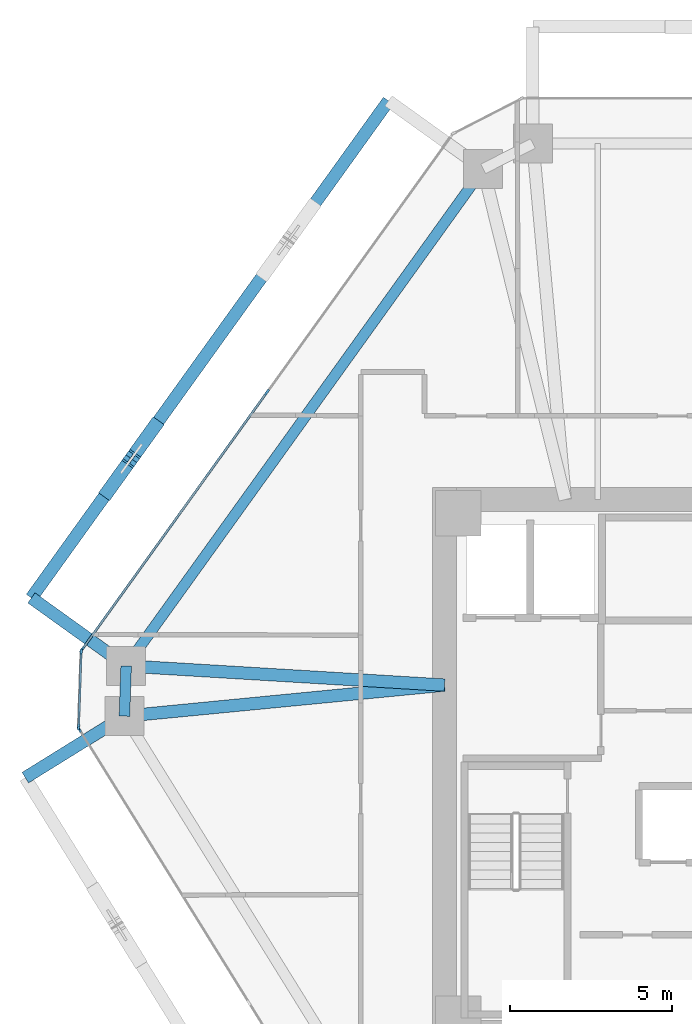
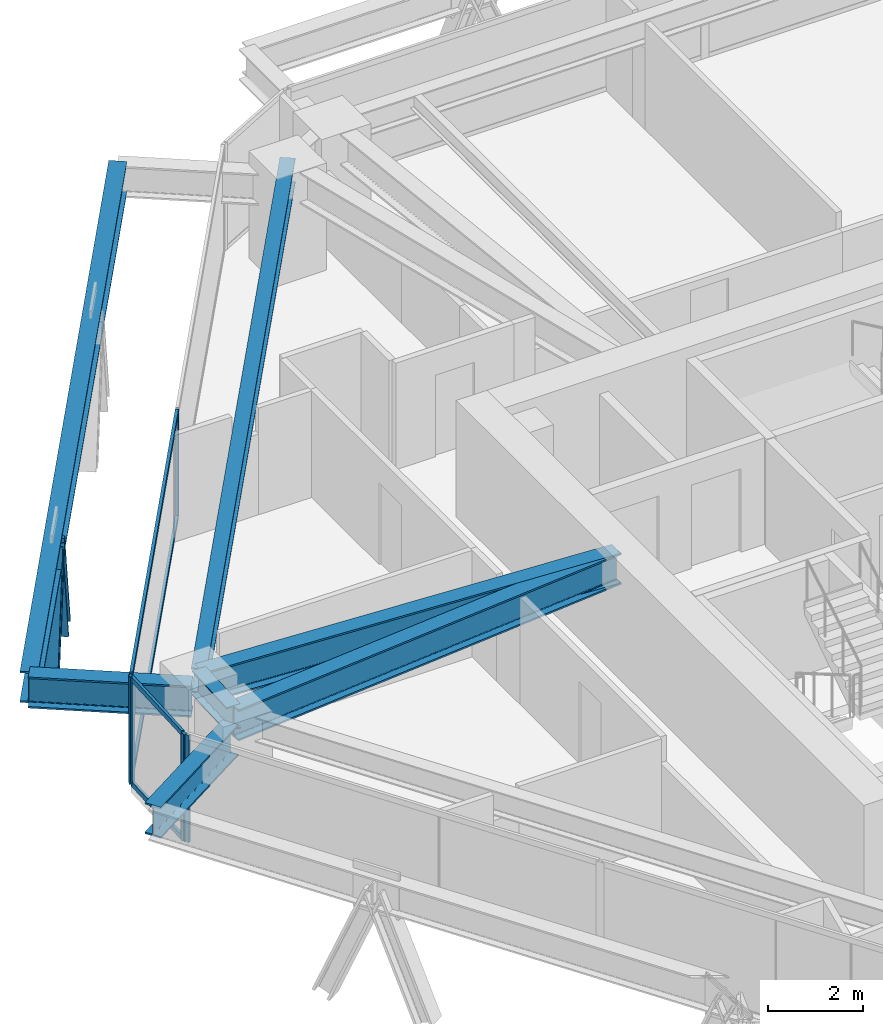
# One storey, part 4 of 17: 11 members, 7 beams, 3 elements without a shape of their own.
"""IFC4 building model written with IfcOpenShell, lengths in metres."""

from ifc_helpers import new_model, si_unit, direction, frame, origin, origin_2d, place, context, subcontext, project, spatial, rectangle, i_section, extrude, source, transform, mapped, material, layer, layer_set, material_profile, profile_set, type_object, type_shapes, element, aggregate, save


model = new_model("IFC4")

# Units and contexts
model_context = context("Model", 3, precision=1e-05, world=origin(), true_north=direction((0.0, 1.0)))
body_context = subcontext(model_context, "Body", "Model", "MODEL_VIEW")
ifc_project = project(units=[si_unit("LENGTHUNIT", "METRE"), si_unit("AREAUNIT", "SQUARE_METRE"), si_unit("VOLUMEUNIT", "CUBIC_METRE"), si_unit("PLANEANGLEUNIT", "RADIAN"), si_unit("MASSUNIT", "GRAM", prefix="KILO")], contexts=[model_context])

# Site, building, storey
site_placement = place(None, origin())
site = spatial("IfcSite", under=ifc_project, at=site_placement, CompositionType="ELEMENT")
building_placement = place(site_placement, origin())
building = spatial("IfcBuilding", under=site, at=building_placement, Name="Durnholm Broadcast Tower", CompositionType="ELEMENT")
storey_placement = place(building_placement, frame((0.0, 0.0, 143.10009765625)))
storey = spatial("IfcBuildingStorey", under=building, at=storey_placement, Name="L39", CompositionType="ELEMENT", Elevation=143.10009765625)

# Beams
ifc_material_1 = material(Name="Steel ASTM A992 Grade 50", Category="steel")
ifc_material_profile_1 = material_profile(ifc_material_1, i_section(OverallWidth=0.385009765625, OverallDepth=0.802978515625, WebThickness=0.023681640625, FlangeThickness=0.0419921875, FilletRadius=0.032958984375, at=origin_2d()), Name="W30X261")
ifc_profile_set_1 = profile_set([ifc_material_profile_1], Name="Steel ASTM A992 Grade 50")
beam_type_1 = type_object("IfcBeamType", Name="BM-EXO-TIE", PredefinedType="USERDEFINED", material=ifc_profile_set_1)
shared_shape_1 = source(origin(), body_context, "Body", "SweptSolid", [
    extrude(i_section(OverallWidth=0.385009765625, OverallDepth=0.802978515625, WebThickness=0.023681640625, FlangeThickness=0.0419921875, FilletRadius=0.032958984375, at=origin_2d()), origin(), (0.0, 0.0, 1.0), 3.4560546875),
])
for number, where, z_axis, x_axis, name in (
    (1, (-20.1669921875, 3.175048828125, 2.008544921875), (-0.812164951739, 0.583427880005, 0.0), (-0.583427880005, -0.812164951739, 0.0), "L39 exoskeleton stand-off tie bracket F5.2"),
    (2, (-20.22509765625, 1.465576171875, 2.008544921875), (-0.849795112316, -0.527113144481, 0.0), (0.527113144481, -0.849795112316, 0.0), "L39 exoskeleton stand-off tie bracket F6.1"),
):
    element("IfcBeam", number, at=place(storey_placement, frame(where, z_axis=z_axis, x_axis=x_axis)), inside=storey, type_object=beam_type_1, Name=name, ObjectType="GIRDER", PredefinedType="USERDEFINED", context=body_context, shape_type="MappedRepresentation", body=[
        mapped(shared_shape_1, transform((0.0, 0.0, 0.0), x_axis=(1.0, 0.0, 0.0), y_axis=(0.0, 1.0, 0.0), z_axis=(0.0, 0.0, 1.0), scale=1.0)),
    ])
ifc_material_profile_2 = material_profile(ifc_material_1, i_section(OverallWidth=0.3291015625, OverallDepth=0.635009765625, WebThickness=0.017822265625, FlangeThickness=0.031005859375, FilletRadius=0.02783203125, at=origin_2d()), Name="W24X162")
ifc_profile_set_2 = profile_set([ifc_material_profile_2], Name="Steel ASTM A992 Grade 50")
beam_type_2 = type_object("IfcBeamType", Name="STL-SP-W24X162", PredefinedType="SPANDREL", material=ifc_profile_set_2)
shared_shape_2 = source(origin(), body_context, "Body", "SweptSolid", [
    extrude(i_section(OverallWidth=0.3291015625, OverallDepth=0.635009765625, WebThickness=0.017822265625, FlangeThickness=0.031005859375, FilletRadius=0.02783203125, at=origin_2d()), origin(), (0.0, 0.0, 1.0), 1.550537109375),
])
beam_1_placement = place(storey_placement, frame((-20.102783203125, 1.54150390625, 2.427490234375), z_axis=(0.034012135923, 0.999421419928, 0.0), x_axis=(-0.999421419928, 0.034012135923, 0.0)))
element("IfcBeam", 3, at=beam_1_placement, inside=storey, type_object=beam_type_2, Name="L39 perimeter spandrel girder 02", PredefinedType="SPANDREL", context=body_context, shape_type="MappedRepresentation", body=[
    mapped(shared_shape_2, transform((0.0, 0.0, 0.0), x_axis=(1.0, 0.0, 0.0), y_axis=(0.0, 1.0, 0.0), z_axis=(0.0, 0.0, 1.0), scale=1.0)),
])
shared_shape_3 = source(origin(), body_context, "Body", "SweptSolid", [
    extrude(i_section(OverallWidth=0.3291015625, OverallDepth=0.635009765625, WebThickness=0.017822265625, FlangeThickness=0.031005859375, FilletRadius=0.02783203125, at=origin_2d()), origin(), (0.0, 0.0, 1.0), 18.884521484375),
])
type_shapes(beam_type_2, [shared_shape_2, shared_shape_3])
beam_2_placement = place(storey_placement, frame((-20.050048828125, 3.091064453125, 2.427490234375), z_axis=(0.583443434414, 0.812153777827, 0.0), x_axis=(-0.812153777827, 0.583443434414, 0.0)))
element("IfcBeam", 4, at=beam_2_placement, inside=storey, type_object=beam_type_2, Name="L39 perimeter spandrel girder 03", PredefinedType="SPANDREL", context=body_context, shape_type="MappedRepresentation", body=[
    mapped(shared_shape_3, transform((0.0, 0.0, 0.0), x_axis=(1.0, 0.0, 0.0), y_axis=(0.0, 1.0, 0.0), z_axis=(0.0, 0.0, 1.0), scale=1.0)),
])
ifc_material_profile_3 = material_profile(ifc_material_1, i_section(OverallWidth=0.385009765625, OverallDepth=0.802978515625, WebThickness=0.023681640625, FlangeThickness=0.0419921875, FilletRadius=0.032958984375, at=origin_2d()), Name="W30X261")
ifc_profile_set_3 = profile_set([ifc_material_profile_3], Name="Steel ASTM A992 Grade 50")
beam_type_3 = type_object("IfcBeamType", Name="STL-GR-W30X261", PredefinedType="USERDEFINED", material=ifc_profile_set_3)
shared_shape_4 = source(origin(), body_context, "Body", "SweptSolid", [
    extrude(i_section(OverallWidth=0.385009765625, OverallDepth=0.802978515625, WebThickness=0.023681640625, FlangeThickness=0.0419921875, FilletRadius=0.032958984375, at=origin_2d()), origin(), (0.0, 0.0, 1.0), 9.924072265625),
])
beam_3_placement = place(storey_placement, frame((-10.22509765625, 2.5, 2.343505859375), z_axis=(-0.995324947968, -0.096582855378, 0.0), x_axis=(0.096582855378, -0.995324947968, 0.0)))
element("IfcBeam", 5, at=beam_3_placement, inside=storey, type_object=beam_type_3, Name="L39 radial primary floor girder 02", ObjectType="GIRDER", PredefinedType="USERDEFINED", context=body_context, shape_type="MappedRepresentation", body=[
    mapped(shared_shape_4, transform((0.0, 0.0, 0.0), x_axis=(1.0, 0.0, 0.0), y_axis=(0.0, 1.0, 0.0), z_axis=(0.0, 0.0, 1.0), scale=1.0)),
])
shared_shape_5 = source(origin(), body_context, "Body", "SweptSolid", [
    extrude(i_section(OverallWidth=0.385009765625, OverallDepth=0.802978515625, WebThickness=0.023681640625, FlangeThickness=0.0419921875, FilletRadius=0.032958984375, at=origin_2d()), origin(), (0.0, 0.0, 1.0), 9.8427734375),
])
type_shapes(beam_type_3, [shared_shape_4, shared_shape_5])
beam_4_placement = place(storey_placement, frame((-10.22509765625, 2.5, 2.343505859375), z_axis=(-0.998195312551, 0.0600509617, 0.0), x_axis=(-0.0600509617, -0.998195312551, 0.0)))
element("IfcBeam", 6, at=beam_4_placement, inside=storey, type_object=beam_type_3, Name="L39 radial primary floor girder 03", ObjectType="GIRDER", PredefinedType="USERDEFINED", context=body_context, shape_type="MappedRepresentation", body=[
    mapped(shared_shape_5, transform((0.0, 0.0, 0.0), x_axis=(1.0, 0.0, 0.0), y_axis=(0.0, 1.0, 0.0), z_axis=(0.0, 0.0, 1.0), scale=1.0)),
])
shared_shape_6 = source(origin(), body_context, "Body", "SweptSolid", [
    extrude(i_section(OverallWidth=0.385009765625, OverallDepth=0.802978515625, WebThickness=0.023681640625, FlangeThickness=0.0419921875, FilletRadius=0.032958984375, at=origin_2d()), origin(), (0.0, 0.0, 1.0), 18.884765625),
])
type_shapes(beam_type_1, [shared_shape_1, shared_shape_6])
beam_5_placement = place(storey_placement, frame((-11.955810546875, 20.52880859375, 2.008544921875), z_axis=(-0.583437308554, -0.812158178551, 0.0), x_axis=(0.812158178551, -0.583437308554, 0.0)))
element("IfcBeam", 7, at=beam_5_placement, inside=storey, type_object=beam_type_1, Name="L39 exoskeleton collector spandrel F5", PredefinedType="SPANDREL", context=body_context, shape_type="MappedRepresentation", body=[
    mapped(shared_shape_6, transform((0.0, 0.0, 0.0), x_axis=(1.0, 0.0, 0.0), y_axis=(0.0, 1.0, 0.0), z_axis=(0.0, 0.0, 1.0), scale=1.0)),
])

# Members
ifc_material_2 = material(Name="Steel ASTM A913 Grade 65", Category="steel")
ifc_material_profile_4 = material_profile(ifc_material_2, i_section(OverallWidth=0.41845703125, OverallDepth=0.455078125, WebThickness=0.0419921875, FlangeThickness=0.067626953125, FilletRadius=0.030517578125, at=origin_2d()), Name="W14X370")
ifc_profile_set_4 = profile_set([ifc_material_profile_4], Name="Steel ASTM A913 Grade 65")
member_type_1 = type_object("IfcMemberType", Name="STL-DG-W14X370", PredefinedType="BRACE", material=ifc_profile_set_4)
shared_shape_7 = source(origin(), body_context, "Body", "SweptSolid", [
    extrude(i_section(OverallWidth=0.41845703125, OverallDepth=0.455078125, WebThickness=0.0419921875, FlangeThickness=0.067626953125, FilletRadius=0.030517578125, at=origin_2d()), origin(), (0.0, 0.0, 1.0), 3.243896484375),
])
member_1_placement = place(storey_placement, frame((-19.1689453125, 10.488037109375, -0.991455078125), z_axis=(-0.221947394098, -0.308950170489, 0.924818439699), x_axis=(0.812153063014, -0.583444429434, 0.0)))
element("IfcMember", 8, at=member_1_placement, inside=storey, type_object=member_type_1, Name="L39 stand-off diagrid brace F5.D2.1", PredefinedType="BRACE", context=body_context, shape_type="MappedRepresentation", body=[
    mapped(shared_shape_7, transform((0.0, 0.0, 0.0), x_axis=(1.0, 0.0, 0.0), y_axis=(0.0, 1.0, 0.0), z_axis=(0.0, 0.0, 1.0), scale=1.0)),
])
shared_shape_8 = source(origin(), body_context, "Body", "SweptSolid", [
    extrude(i_section(OverallWidth=0.41845703125, OverallDepth=0.455078125, WebThickness=0.0419921875, FlangeThickness=0.067626953125, FilletRadius=0.030517578125, at=origin_2d()), origin(), (0.0, 0.0, 1.0), 3.24365234375),
])
type_shapes(member_type_1, [shared_shape_7, shared_shape_8])
member_2_placement = place(storey_placement, frame((-20.608642578125, 8.48388671875, -0.991455078125), z_axis=(0.22188099666, 0.308887249081, 0.924855389062), x_axis=(-0.812179469647, 0.583407669717, 0.0)))
element("IfcMember", 9, at=member_2_placement, inside=storey, type_object=member_type_1, Name="L39 stand-off diagrid brace F5.D2.2", PredefinedType="BRACE", context=body_context, shape_type="MappedRepresentation", body=[
    mapped(shared_shape_8, transform((0.0, 0.0, 0.0), x_axis=(1.0, 0.0, 0.0), y_axis=(0.0, 1.0, 0.0), z_axis=(0.0, 0.0, 1.0), scale=1.0)),
])

# Curtain wall, members
ifc_material_3 = material(Name="Aluminium and Solar Control IGU", Category="aluminium")
ifc_layer_1 = layer(ifc_material_3, 0.1650390625)
ifc_layer_set_1 = layer_set([ifc_layer_1], Name="Aluminium and Solar Control IGU")
curtain_wall_type_1 = type_object("IfcCurtainWallType", Name="CW-SYS-5", PredefinedType="NOTDEFINED", material=ifc_layer_set_1)
curtain_wall_1_placement = place(storey_placement, origin())
curtain_wall_1 = element("IfcCurtainWall", 10, at=curtain_wall_1_placement, inside=storey, type_object=curtain_wall_type_1, Name="L39 curtain wall CW-CORNER CW-L39-CRN-01", PredefinedType="NOTDEFINED")
ifc_material_4 = material(Name="Aluminium 6063-T6", Category="aluminium")
ifc_material_profile_5 = material_profile(ifc_material_4, rectangle(XDim=0.06494140625, YDim=0.1650390625, at=origin_2d()), Name="CWM65X165")
ifc_profile_set_5 = profile_set([ifc_material_profile_5], Name="Aluminium 6063-T6")
member_type_2 = type_object("IfcMemberType", Name="CW-SYS-5-MUL", PredefinedType="MULLION", material=ifc_profile_set_5)
shared_shape_9 = source(origin(), body_context, "Body", "SweptSolid", [
    extrude(rectangle(XDim=0.06494140625, YDim=0.1650390625, at=origin_2d()), origin(), (0.0, 0.0, 1.0), 2.760009765625),
])
type_shapes(member_type_2, [shared_shape_9])
member_3_placement = place(storey_placement, frame((-21.51513671875, 1.19677734375, 0.0), z_axis=(0.0, 0.0, 1.0), x_axis=(-0.999424655155, 0.033916937775, 0.0)))
member_3 = element("IfcMember", 11, at=member_3_placement, type_object=member_type_2, Name="CW-CORNER mullion 1", PredefinedType="MULLION", context=body_context, shape_type="MappedRepresentation", body=[
    mapped(shared_shape_9, transform((0.0, 0.0, 0.0), x_axis=(1.0, 0.0, 0.0), y_axis=(0.0, 1.0, 0.0), z_axis=(0.0, 0.0, 1.0), scale=1.0)),
])
member_4_placement = place(storey_placement, frame((-21.43603515625, 3.530517578125, 0.0), z_axis=(0.0, 0.0, 1.0), x_axis=(-0.999424655155, 0.033916937775, 0.0)))
member_4 = element("IfcMember", 12, at=member_4_placement, type_object=member_type_2, Name="CW-CORNER mullion 2", PredefinedType="MULLION", context=body_context, shape_type="MappedRepresentation", body=[
    mapped(shared_shape_9, transform((0.0, 0.0, 0.0), x_axis=(1.0, 0.0, 0.0), y_axis=(0.0, 1.0, 0.0), z_axis=(0.0, 0.0, 1.0), scale=1.0)),
])

ifc_layer_2 = layer(ifc_material_3, 0.18994140625)
ifc_layer_set_2 = layer_set([ifc_layer_2], Name="Aluminium and Solar Control IGU")
curtain_wall_type_2 = type_object("IfcCurtainWallType", Name="CW-SYS-3", PredefinedType="NOTDEFINED", material=ifc_layer_set_2)
curtain_wall_2_placement = place(storey_placement, origin())
curtain_wall_2 = element("IfcCurtainWall", 13, at=curtain_wall_2_placement, inside=storey, type_object=curtain_wall_type_2, Name="L39 curtain wall CW-Z12-VIS CW-L39-F02", PredefinedType="NOTDEFINED")
ifc_material_profile_6 = material_profile(ifc_material_4, rectangle(XDim=0.070068359375, YDim=0.18994140625, at=origin_2d()), Name="CWM70X190")
ifc_profile_set_6 = profile_set([ifc_material_profile_6], Name="Aluminium 6063-T6")
member_type_3 = type_object("IfcMemberType", Name="CW-SYS-3-MUL", PredefinedType="MULLION", material=ifc_profile_set_6)
shared_shape_10 = source(origin(), body_context, "Body", "SweptSolid", [
    extrude(rectangle(XDim=0.070068359375, YDim=0.18994140625, at=origin_2d()), origin(), (0.0, 0.0, 1.0), 2.760009765625),
])
type_shapes(member_type_3, [shared_shape_10])
member_5_placement = place(storey_placement, frame((-21.41455078125, 3.59130859375, 0.0), z_axis=(0.0, 0.0, 1.0), x_axis=(-0.812152312759, 0.583445473786, 0.0)))
member_5 = element("IfcMember", 14, at=member_5_placement, type_object=member_type_3, Name="CW-Z12-VIS mullion 1", PredefinedType="MULLION", context=body_context, shape_type="MappedRepresentation", body=[
    mapped(shared_shape_10, transform((0.0, 0.0, 0.0), x_axis=(1.0, 0.0, 0.0), y_axis=(0.0, 1.0, 0.0), z_axis=(0.0, 0.0, 1.0), scale=1.0)),
])
member_6_placement = place(storey_placement, frame((-15.703369140625, 11.541259765625, 0.0), z_axis=(0.0, 0.0, 1.0), x_axis=(-0.812152312759, 0.583445473786, 0.0)))
member_6 = element("IfcMember", 15, at=member_6_placement, type_object=member_type_3, Name="CW-Z12-VIS mullion 2", PredefinedType="MULLION", context=body_context, shape_type="MappedRepresentation", body=[
    mapped(shared_shape_10, transform((0.0, 0.0, 0.0), x_axis=(1.0, 0.0, 0.0), y_axis=(0.0, 1.0, 0.0), z_axis=(0.0, 0.0, 1.0), scale=1.0)),
])

# Curtain wall, member
curtain_wall_3_placement = place(storey_placement, origin())
curtain_wall_3 = element("IfcCurtainWall", 16, at=curtain_wall_3_placement, inside=storey, type_object=curtain_wall_type_2, Name="L39 curtain wall CW-Z12-VIS CW-L39-F12", PredefinedType="NOTDEFINED")
member_7_placement = place(storey_placement, frame((-21.497802734375, 1.134765625, 0.0), z_axis=(0.0, 0.0, 1.0), x_axis=(-0.849799925229, -0.527105385176, 0.0)))
member_7 = element("IfcMember", 17, at=member_7_placement, type_object=member_type_3, Name="CW-Z12-VIS mullion 3", PredefinedType="MULLION", context=body_context, shape_type="MappedRepresentation", body=[
    mapped(shared_shape_10, transform((0.0, 0.0, 0.0), x_axis=(1.0, 0.0, 0.0), y_axis=(0.0, 1.0, 0.0), z_axis=(0.0, 0.0, 1.0), scale=1.0)),
])
aggregate(curtain_wall_3, [member_7])

# Member
ifc_material_profile_7 = material_profile(ifc_material_4, rectangle(XDim=0.06494140625, YDim=0.1298828125, at=origin_2d()), Name="CWT65X130")
ifc_profile_set_7 = profile_set([ifc_material_profile_7], Name="Aluminium 6063-T6")
member_type_4 = type_object("IfcMemberType", Name="CW-SYS-5-TRN", PredefinedType="USERDEFINED", material=ifc_profile_set_7)
shared_shape_11 = source(origin(), body_context, "Body", "SweptSolid", [
    extrude(rectangle(XDim=0.06494140625, YDim=0.1298828125, at=origin_2d()), origin(), (0.0, 0.0, 1.0), 2.27001953125),
])
type_shapes(member_type_4, [shared_shape_11])
member_8_placement = place(storey_placement, frame((-21.51416015625, 1.229248046875, 0.032470703125), z_axis=(0.03398444704, 0.999422361847, 0.0), x_axis=(-0.999422361847, 0.03398444704, 0.0)))
member_8 = element("IfcMember", 18, at=member_8_placement, type_object=member_type_4, Name="CW-CORNER transom 1.1", ObjectType="TRANSOM", PredefinedType="USERDEFINED", context=body_context, shape_type="MappedRepresentation", body=[
    mapped(shared_shape_11, transform((0.0, 0.0, 0.0), x_axis=(1.0, 0.0, 0.0), y_axis=(0.0, 1.0, 0.0), z_axis=(0.0, 0.0, 1.0), scale=1.0)),
])

member_9_placement = place(storey_placement, frame((-21.51416015625, 1.229248046875, 2.727294921875), z_axis=(0.03398444704, 0.999422361847, 0.0), x_axis=(-0.999422361847, 0.03398444704, 0.0)))
member_9 = element("IfcMember", 19, at=member_9_placement, type_object=member_type_4, Name="CW-CORNER transom 1.2", ObjectType="TRANSOM", PredefinedType="USERDEFINED", context=body_context, shape_type="MappedRepresentation", body=[
    mapped(shared_shape_11, transform((0.0, 0.0, 0.0), x_axis=(1.0, 0.0, 0.0), y_axis=(0.0, 1.0, 0.0), z_axis=(0.0, 0.0, 1.0), scale=1.0)),
])

aggregate(curtain_wall_1, [member_3, member_4, member_8, member_9])

ifc_material_profile_8 = material_profile(ifc_material_4, rectangle(XDim=0.070068359375, YDim=0.14990234375, at=origin_2d()), Name="CWT70X150")
ifc_profile_set_8 = profile_set([ifc_material_profile_8], Name="Aluminium 6063-T6")
member_type_5 = type_object("IfcMemberType", Name="CW-SYS-3-TRN", PredefinedType="USERDEFINED", material=ifc_profile_set_8)
shared_shape_12 = source(origin(), body_context, "Body", "SweptSolid", [
    extrude(rectangle(XDim=0.070068359375, YDim=0.14990234375, at=origin_2d()), origin(), (0.0, 0.0, 1.0), 9.71875),
])
type_shapes(member_type_5, [shared_shape_12])
member_10_placement = place(storey_placement, frame((-21.39404296875, 3.619873046875, 0.034912109375), z_axis=(0.583450726174, 0.812148539448, 0.0), x_axis=(-0.812148539448, 0.583450726174, 0.0)))
member_10 = element("IfcMember", 20, at=member_10_placement, type_object=member_type_5, Name="CW-Z12-VIS transom 1.1", ObjectType="TRANSOM", PredefinedType="USERDEFINED", context=body_context, shape_type="MappedRepresentation", body=[
    mapped(shared_shape_12, transform((0.0, 0.0, 0.0), x_axis=(1.0, 0.0, 0.0), y_axis=(0.0, 1.0, 0.0), z_axis=(0.0, 0.0, 1.0), scale=1.0)),
])

member_11_placement = place(storey_placement, frame((-21.39404296875, 3.619873046875, 2.724853515625), z_axis=(0.583450726174, 0.812148539448, 0.0), x_axis=(-0.812148539448, 0.583450726174, 0.0)))
member_11 = element("IfcMember", 21, at=member_11_placement, type_object=member_type_5, Name="CW-Z12-VIS transom 1.2", ObjectType="TRANSOM", PredefinedType="USERDEFINED", context=body_context, shape_type="MappedRepresentation", body=[
    mapped(shared_shape_12, transform((0.0, 0.0, 0.0), x_axis=(1.0, 0.0, 0.0), y_axis=(0.0, 1.0, 0.0), z_axis=(0.0, 0.0, 1.0), scale=1.0)),
])

aggregate(curtain_wall_2, [member_5, member_6, member_10, member_11])

save(model, "model.ifc")
